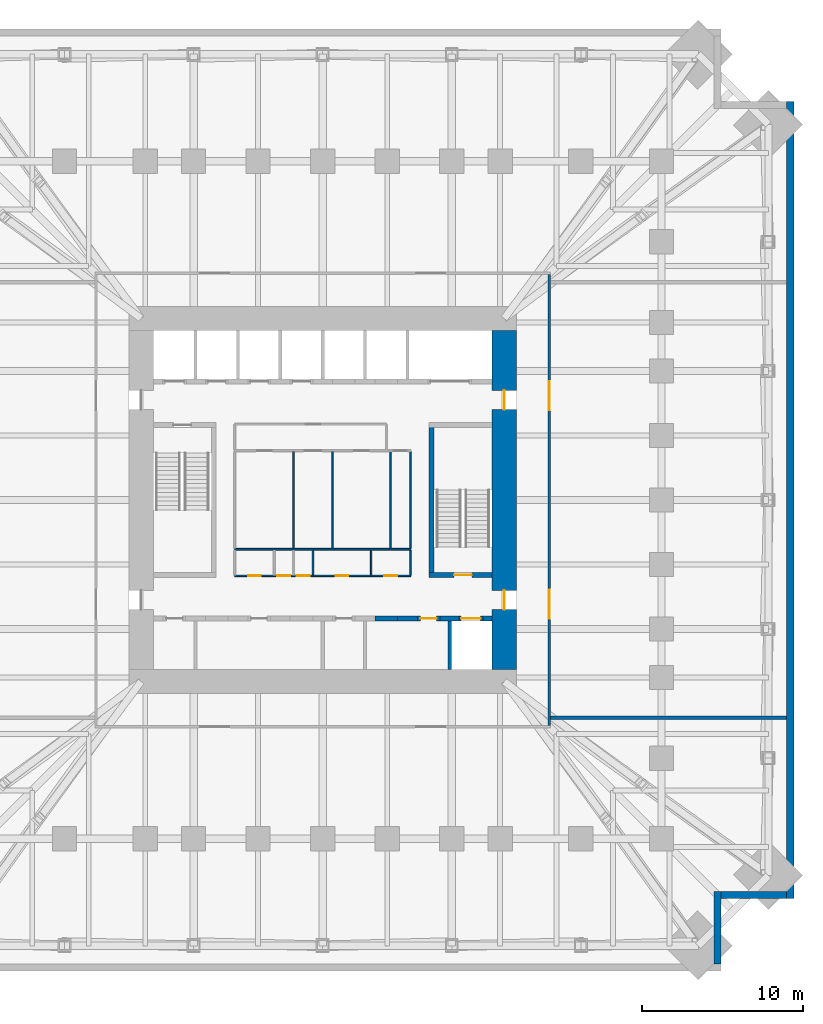
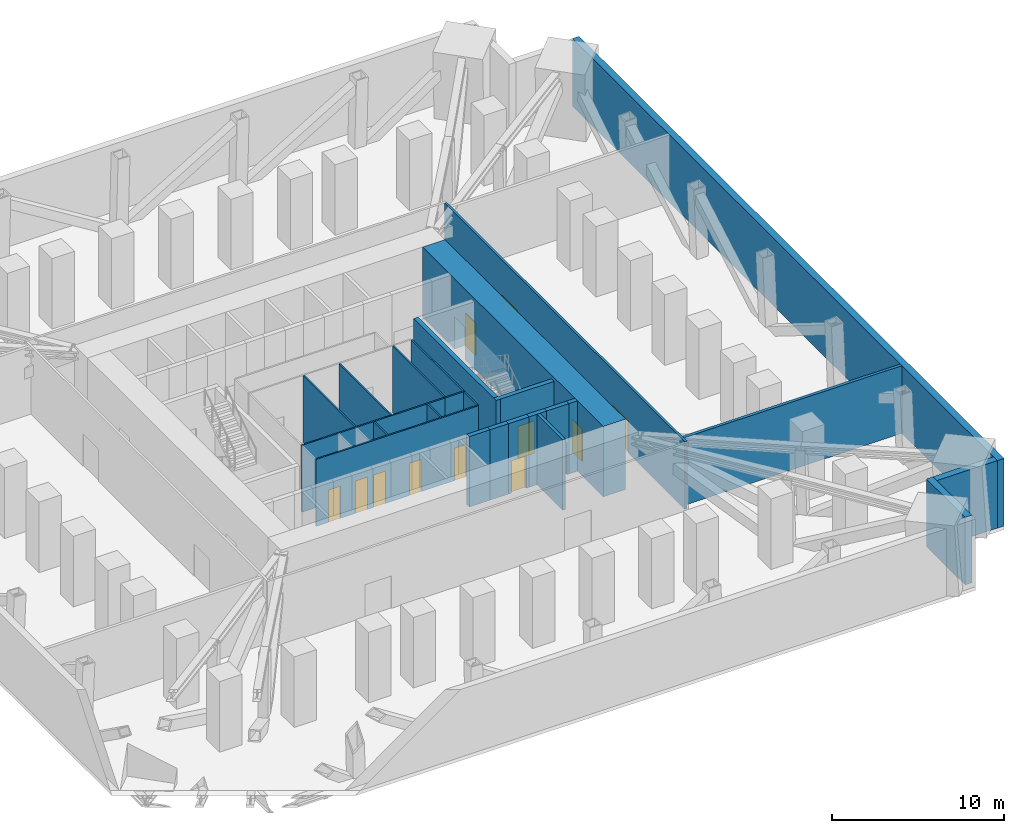
# One storey, part 6 of 9: 25 walls, 12 doors, 12 openings.
"""IFC4 building model written with IfcOpenShell, lengths in metres."""

from ifc_helpers import new_model, si_unit, direction, frame, frame_2d, origin, place, context, subcontext, project, spatial, rectangle, extrude, material, layer, layer_set, type_object, element, fill, save


model = new_model("IFC4")

# Units and contexts
model_context = context("Model", 3, precision=1e-05, world=origin(), true_north=direction((0.0, 1.0)))
body_context = subcontext(model_context, "Body", "Model", "MODEL_VIEW")
ifc_project = project(units=[si_unit("LENGTHUNIT", "METRE"), si_unit("AREAUNIT", "SQUARE_METRE"), si_unit("VOLUMEUNIT", "CUBIC_METRE"), si_unit("PLANEANGLEUNIT", "RADIAN"), si_unit("MASSUNIT", "GRAM", prefix="KILO")], contexts=[model_context])

# Site, building, storey
site_placement = place(None, origin())
site = spatial("IfcSite", under=ifc_project, at=site_placement, CompositionType="ELEMENT")
building_placement = place(site_placement, origin())
building = spatial("IfcBuilding", under=site, at=building_placement, Name="Peilmerk Tower", CompositionType="ELEMENT")
storey_placement = place(building_placement, frame((0.0, 0.0, 81.0)))
storey = spatial("IfcBuildingStorey", under=building, at=storey_placement, Name="L15", CompositionType="ELEMENT", Elevation=81.0)

# Walls
ifc_material_1 = material(Name="Precast concrete C45/55, board-marked finish", Category="concrete")
ifc_layer_1 = layer(ifc_material_1, 0.449951171875)
ifc_layer_set_1 = layer_set([ifc_layer_1], Name="Precast concrete C45/55, board-marked finish")
wall_type_1 = type_object("IfcWallType", Name="EW1 450 precast concrete facade wall, board-marked", PredefinedType="SOLIDWALL", material=ifc_layer_set_1)
wall_1_placement = place(storey_placement, frame((28.97509765625, -24.699951171875, 0.0), z_axis=(0.0, 0.0, 1.0), x_axis=(0.0, 1.0, 0.0)))
element("IfcWall", 1, at=wall_1_placement, inside=storey, type_object=wall_type_1, Name="Facade wall E L15", PredefinedType="SOLIDWALL", context=body_context, shape_type="SweptSolid", body=[
    extrude(rectangle(XDim=49.39990234375, YDim=0.449951171875, at=frame_2d((24.699951171875, 0.0))), origin(), (0.0, 0.0, 1.0), 4.800048828125),
])
wall_2_placement = place(storey_placement, frame((24.47509765625, -24.25, 0.0), z_axis=(0.0, 0.0, 1.0), x_axis=(0.0, -1.0, 0.0)))
element("IfcWall", 2, at=wall_2_placement, inside=storey, type_object=wall_type_1, Name="Facade wall SEA L15", PredefinedType="SOLIDWALL", context=body_context, shape_type="SweptSolid", body=[
    extrude(rectangle(XDim=4.5, YDim=0.449951171875, at=frame_2d((2.25, 0.0))), origin(), (0.0, 0.0, 1.0), 4.800048828125),
])
wall_3_placement = place(storey_placement, frame((24.699951171875, -24.47509765625, 0.0), z_axis=(0.0, 0.0, 1.0), x_axis=(1.0, 0.0, 0.0)))
element("IfcWall", 3, at=wall_3_placement, inside=storey, type_object=wall_type_1, Name="Facade wall SEB L15", PredefinedType="SOLIDWALL", context=body_context, shape_type="SweptSolid", body=[
    extrude(rectangle(XDim=4.050048828125, YDim=0.449951171875, at=frame_2d((2.02490234375, 0.0))), origin(), (0.0, 0.0, 1.0), 4.800048828125),
])

# Wall, openings, doors
ifc_material_2 = material(Name="Calcium silicate block", Category="masonry")
ifc_layer_2 = layer(ifc_material_2, 0.14990234375)
ifc_layer_set_2 = layer_set([ifc_layer_2], Name="Calcium silicate block")
wall_type_2 = type_object("IfcWallType", Name="IW1 150 corridor partition, EI 60", PredefinedType="PARTITIONING", material=ifc_layer_set_2)
wall_4_placement = place(storey_placement, frame((14.050048828125, -13.97509765625, 0.0), z_axis=(0.0, 0.0, 1.0), x_axis=(0.0, 1.0, 0.0)))
wall_4 = element("IfcWall", 4, at=wall_4_placement, inside=storey, type_object=wall_type_2, Name="Corridor wall E L15", PredefinedType="PARTITIONING", context=body_context, shape_type="SweptSolid", body=[
    extrude(rectangle(XDim=27.9501953125, YDim=0.14990234375, at=frame_2d((13.97509765625, 0.0))), origin(), (0.0, 0.0, 1.0), 4.800048828125),
])
opening_1_placement = place(wall_4_placement, frame((6.625, 0.0, 0.0)))
opening_1 = element("IfcOpeningElement", 5, at=opening_1_placement, cuts=wall_4, Name="Opening D2", PredefinedType="OPENING", context=body_context, shape_type="SweptSolid", body=[
    extrude(rectangle(XDim=1.800048828125, YDim=2.300048828125, at=frame_2d((0.89990234375, 1.14990234375))), frame((0.0, 0.0849609375, 0.0), z_axis=(0.0, -1.0, 0.0), x_axis=(1.0, 0.0, 0.0)), (0.0, 0.0, 1.0), 0.169921875),
])
opening_2_placement = place(wall_4_placement, frame((19.52490234375, 0.0, 0.0)))
opening_2 = element("IfcOpeningElement", 6, at=opening_2_placement, cuts=wall_4, Name="Opening D2", PredefinedType="OPENING", context=body_context, shape_type="SweptSolid", body=[
    extrude(rectangle(XDim=1.800048828125, YDim=2.300048828125, at=frame_2d((0.89990234375, 1.14990234375))), frame((0.0, 0.0849609375, 0.0), z_axis=(0.0, -1.0, 0.0), x_axis=(1.0, 0.0, 0.0)), (0.0, 0.0, 1.0), 0.169921875),
])
ifc_material_3 = material(Name="Steel door in steel frame", Category="steel")
door_type_1 = type_object("IfcDoorType", Name="D2 1800x2300 double door, EI2 60", OperationType="DOUBLE_DOOR_DOUBLE_SWING", PredefinedType="DOOR", material=ifc_material_3)
door_1_placement = place(opening_1_placement, frame((1.800048828125, 0.0, 0.0), z_axis=(0.0, 0.0, 1.0), x_axis=(-1.0, 0.0, 0.0)))
door_1 = element("IfcDoor", 7, at=door_1_placement, inside=storey, type_object=door_type_1, Name="Door Plant room L15", OperationType="DOUBLE_DOOR_DOUBLE_SWING", OverallHeight=2.300048828125, OverallWidth=1.800048828125, PredefinedType="DOOR", context=body_context, shape_type="SweptSolid", body=[
    extrude(rectangle(XDim=1.800048828125, YDim=2.300048828125, at=frame_2d((0.89990234375, 1.14990234375))), frame((0.0, 0.02490234375, 0.0), z_axis=(0.0, -1.0, 0.0), x_axis=(1.0, 0.0, 0.0)), (0.0, 0.0, 1.0), 0.050048828125),
])
fill(opening_1, door_1)
door_2_placement = place(opening_2_placement, frame((1.800048828125, 0.0, 0.0), z_axis=(0.0, 0.0, 1.0), x_axis=(-1.0, 0.0, 0.0)))
door_2 = element("IfcDoor", 8, at=door_2_placement, inside=storey, type_object=door_type_1, Name="Door Plant room L15", OperationType="DOUBLE_DOOR_DOUBLE_SWING", OverallHeight=2.300048828125, OverallWidth=1.800048828125, PredefinedType="DOOR", context=body_context, shape_type="SweptSolid", body=[
    extrude(rectangle(XDim=1.800048828125, YDim=2.300048828125, at=frame_2d((0.89990234375, 1.14990234375))), frame((0.0, 0.02490234375, 0.0), z_axis=(0.0, -1.0, 0.0), x_axis=(1.0, 0.0, 0.0)), (0.0, 0.0, 1.0), 0.050048828125),
])
fill(opening_2, door_2)

# Walls
ifc_layer_3 = layer(ifc_material_2, 0.199951171875)
ifc_layer_set_3 = layer_set([ifc_layer_3], Name="Calcium silicate block")
wall_type_3 = type_object("IfcWallType", Name="IW2 200 room separating wall, EI 120", PredefinedType="PARTITIONING", material=ifc_layer_set_3)
wall_5_placement = place(storey_placement, frame((28.75, -13.5, 0.0), z_axis=(0.0, 0.0, 1.0), x_axis=(-1.0, 0.0, 0.0)))
element("IfcWall", 9, at=wall_5_placement, inside=storey, type_object=wall_type_3, Name="Room separating wall SE L15", PredefinedType="PARTITIONING", context=body_context, shape_type="SweptSolid", body=[
    extrude(rectangle(XDim=14.625, YDim=0.199951171875, at=frame_2d((7.3125, 0.0))), origin(), (0.0, 0.0, 1.0), 4.800048828125),
])
ifc_material_4 = material(Name="Concrete C35/45", Category="concrete")
ifc_layer_4 = layer(ifc_material_4, 0.300048828125)
ifc_layer_set_4 = layer_set([ifc_layer_4], Name="Concrete C35/45")
wall_type_4 = type_object("IfcWallType", Name="IW3 300 concrete stair enclosure wall, EI 120", PredefinedType="SOLIDWALL", material=ifc_layer_set_4)
wall_6_placement = place(storey_placement, frame((6.75, -4.800048828125, 0.0), z_axis=(0.0, 0.0, 1.0), x_axis=(0.0, 1.0, 0.0)))
element("IfcWall", 10, at=wall_6_placement, inside=storey, type_object=wall_type_4, Name="Stair 2 enclosure L15", PredefinedType="SOLIDWALL", context=body_context, shape_type="SweptSolid", body=[
    extrude(rectangle(XDim=9.60009765625, YDim=0.300048828125, at=frame_2d((4.800048828125, 0.0))), origin(), (0.0, 0.0, 1.0), 4.75),
])

# Wall, opening, door
wall_7_placement = place(storey_placement, frame((10.5, -4.64990234375, 0.0), z_axis=(0.0, 0.0, 1.0), x_axis=(-1.0, 0.0, 0.0)))
wall_7 = element("IfcWall", 11, at=wall_7_placement, inside=storey, type_object=wall_type_4, Name="Stair 2 enclosure L15", PredefinedType="SOLIDWALL", context=body_context, shape_type="SweptSolid", body=[
    extrude(rectangle(XDim=3.89990234375, YDim=0.300048828125, at=frame_2d((1.949951171875, 0.0))), origin(), (0.0, 0.0, 1.0), 4.75),
])
opening_3_placement = place(wall_7_placement, frame((1.25, 0.0, 0.0)))
opening_3 = element("IfcOpeningElement", 12, at=opening_3_placement, cuts=wall_7, Name="Opening D4", PredefinedType="OPENING", context=body_context, shape_type="SweptSolid", body=[
    extrude(rectangle(XDim=1.10009765625, YDim=2.300048828125, at=frame_2d((0.550048828125, 1.14990234375))), frame((0.0, 0.159912109375, 0.0), z_axis=(0.0, -1.0, 0.0), x_axis=(1.0, 0.0, 0.0)), (0.0, 0.0, 1.0), 0.320068359375),
])
door_type_2 = type_object("IfcDoorType", Name="D4 1100x2300 stair door, EI2 60", OperationType="SINGLE_SWING_RIGHT", PredefinedType="DOOR", material=ifc_material_3)
door_3_placement = place(opening_3_placement, frame((1.10009765625, 0.0, 0.0), z_axis=(0.0, 0.0, 1.0), x_axis=(-1.0, 0.0, 0.0)))
door_3 = element("IfcDoor", 13, at=door_3_placement, inside=storey, type_object=door_type_2, Name="Stair 2 door L15", OperationType="SINGLE_SWING_RIGHT", OverallHeight=2.300048828125, OverallWidth=1.10009765625, PredefinedType="DOOR", context=body_context, shape_type="SweptSolid", body=[
    extrude(rectangle(XDim=1.10009765625, YDim=2.300048828125, at=frame_2d((0.550048828125, 1.14990234375))), frame((0.0, 0.02490234375, 0.0), z_axis=(0.0, -1.0, 0.0), x_axis=(1.0, 0.0, 0.0)), (0.0, 0.0, 1.0), 0.050048828125),
])
fill(opening_3, door_3)

# Walls
ifc_material_5 = material(Name="Plasterboard on steel studs", Category="steel")
ifc_layer_5 = layer(ifc_material_5, 0.10009765625)
ifc_layer_set_5 = layer_set([ifc_layer_5], Name="Plasterboard on steel studs")
wall_type_5 = type_object("IfcWallType", Name="IW4 100 WC partition", PredefinedType="PARTITIONING", material=ifc_layer_set_5)
wall_8_placement = place(storey_placement, frame((4.14990234375, -3.050048828125, 0.0), z_axis=(0.0, 0.0, 1.0), x_axis=(-1.0, 0.0, 0.0)))
element("IfcWall", 14, at=wall_8_placement, inside=storey, type_object=wall_type_5, Name="WC wall L15", PredefinedType="PARTITIONING", context=body_context, shape_type="SweptSolid", body=[
    extrude(rectangle(XDim=9.599853515625, YDim=0.10009765625, at=frame_2d((4.7998046875, 0.0))), origin(), (0.0, 0.0, 1.0), 4.75),
])
for number, where, z_axis, x_axis, name in (
    (15, (-1.800048828125, -3.0, 0.0), (0.0, 0.0, 1.0), (0.0, 1.0, 0.0), "WC wall L15"),
    (16, (0.60009765625, -3.0, 0.0), (0.0, 0.0, 1.0), (0.0, 1.0, 0.0), "WC wall L15"),
):
    element("IfcWall", number, at=place(storey_placement, frame(where, z_axis=z_axis, x_axis=x_axis)), inside=storey, type_object=wall_type_5, Name=name, PredefinedType="PARTITIONING", context=body_context, shape_type="SweptSolid", body=[
        extrude(rectangle(XDim=6.0, YDim=0.10009765625, at=frame_2d((3.0, 0.0))), origin(), (0.0, 0.0, 1.0), 4.75),
    ])
ifc_material_6 = material(Name="Calcium silicate board on steel studs", Category="steel")
ifc_layer_6 = layer(ifc_material_6, 0.10009765625)
ifc_layer_set_6 = layer_set([ifc_layer_6], Name="Calcium silicate board on steel studs")
wall_type_6 = type_object("IfcWallType", Name="IW5 100 riser enclosure wall, EI 60", PredefinedType="PARTITIONING", material=ifc_layer_set_6)
wall_9_placement = place(storey_placement, frame((5.449951171875, -3.050048828125, 0.0), z_axis=(0.0, 0.0, 1.0), x_axis=(-1.0, 0.0, 0.0)))
element("IfcWall", 17, at=wall_9_placement, inside=storey, type_object=wall_type_6, Name="Riser wall L15", PredefinedType="PARTITIONING", context=body_context, shape_type="SweptSolid", body=[
    extrude(rectangle(XDim=1.300048828125, YDim=0.10009765625, at=frame_2d((0.64990234375, 0.0))), origin(), (0.0, 0.0, 1.0), 4.75),
])
for number, where, z_axis, x_axis, name in (
    (18, (5.449951171875, 3.0, 0.0), (0.0, 0.0, 1.0), (0.0, -1.0, 0.0), "Riser wall L15"),
    (19, (4.199951171875, -3.0, 0.0), (0.0, 0.0, 1.0), (0.0, 1.0, 0.0), "Riser wall L15"),
):
    element("IfcWall", number, at=place(storey_placement, frame(where, z_axis=z_axis, x_axis=x_axis)), inside=storey, type_object=wall_type_6, Name=name, PredefinedType="PARTITIONING", context=body_context, shape_type="SweptSolid", body=[
        extrude(rectangle(XDim=6.0, YDim=0.10009765625, at=frame_2d((3.0, 0.0))), origin(), (0.0, 0.0, 1.0), 4.75),
    ])

# Wall, openings, doors
wall_10_placement = place(storey_placement, frame((5.449951171875, -4.699951171875, 0.0), z_axis=(0.0, 0.0, 1.0), x_axis=(-1.0, 0.0, 0.0)))
wall_10 = element("IfcWall", 20, at=wall_10_placement, inside=storey, type_object=wall_type_6, Name="Riser wall L15", PredefinedType="PARTITIONING", context=body_context, shape_type="SweptSolid", body=[
    extrude(rectangle(XDim=10.89990234375, YDim=0.10009765625, at=frame_2d((5.449951171875, 0.0))), origin(), (0.0, 0.0, 1.0), 4.75),
])
opening_4_placement = place(wall_10_placement, frame((9.27490234375, 0.0, 0.0)))
opening_4 = element("IfcOpeningElement", 21, at=opening_4_placement, cuts=wall_10, Name="Opening D7", PredefinedType="OPENING", context=body_context, shape_type="SweptSolid", body=[
    extrude(rectangle(XDim=0.800048828125, YDim=2.300048828125, at=frame_2d((0.39990234375, 1.14990234375))), frame((0.0, 0.06005859375, 0.0), z_axis=(0.0, -1.0, 0.0), x_axis=(1.0, 0.0, 0.0)), (0.0, 0.0, 1.0), 0.1201171875),
])
opening_5_placement = place(wall_10_placement, frame((7.449951171875, 0.0, 0.0)))
opening_5 = element("IfcOpeningElement", 22, at=opening_5_placement, cuts=wall_10, Name="Opening D7", PredefinedType="OPENING", context=body_context, shape_type="SweptSolid", body=[
    extrude(rectangle(XDim=0.800048828125, YDim=2.300048828125, at=frame_2d((0.39990234375, 1.14990234375))), frame((0.0, 0.06005859375, 0.0), z_axis=(0.0, -1.0, 0.0), x_axis=(1.0, 0.0, 0.0)), (0.0, 0.0, 1.0), 0.1201171875),
])
opening_6_placement = place(wall_10_placement, frame((6.25, 0.0, 0.0)))
opening_6 = element("IfcOpeningElement", 23, at=opening_6_placement, cuts=wall_10, Name="Opening D7", PredefinedType="OPENING", context=body_context, shape_type="SweptSolid", body=[
    extrude(rectangle(XDim=0.800048828125, YDim=2.300048828125, at=frame_2d((0.39990234375, 1.14990234375))), frame((0.0, 0.06005859375, 0.0), z_axis=(0.0, -1.0, 0.0), x_axis=(1.0, 0.0, 0.0)), (0.0, 0.0, 1.0), 0.1201171875),
])
opening_7_placement = place(wall_10_placement, frame((3.85009765625, 0.0, 0.0)))
opening_7 = element("IfcOpeningElement", 24, at=opening_7_placement, cuts=wall_10, Name="Opening D7", PredefinedType="OPENING", context=body_context, shape_type="SweptSolid", body=[
    extrude(rectangle(XDim=0.800048828125, YDim=2.300048828125, at=frame_2d((0.39990234375, 1.14990234375))), frame((0.0, 0.06005859375, 0.0), z_axis=(0.0, -1.0, 0.0), x_axis=(1.0, 0.0, 0.0)), (0.0, 0.0, 1.0), 0.1201171875),
])
opening_8_placement = place(wall_10_placement, frame((0.824951171875, 0.0, 0.0)))
opening_8 = element("IfcOpeningElement", 25, at=opening_8_placement, cuts=wall_10, Name="Opening D7", PredefinedType="OPENING", context=body_context, shape_type="SweptSolid", body=[
    extrude(rectangle(XDim=0.800048828125, YDim=2.300048828125, at=frame_2d((0.39990234375, 1.14990234375))), frame((0.0, 0.06005859375, 0.0), z_axis=(0.0, -1.0, 0.0), x_axis=(1.0, 0.0, 0.0)), (0.0, 0.0, 1.0), 0.1201171875),
])
door_type_3 = type_object("IfcDoorType", Name="D7 800x2300 riser access door, EI2 60", OperationType="SINGLE_SWING_RIGHT", PredefinedType="DOOR", material=ifc_material_3)
door_4_placement = place(opening_4_placement, frame((0.800048828125, 0.0, 0.0), z_axis=(0.0, 0.0, 1.0), x_axis=(-1.0, 0.0, 0.0)))
door_4 = element("IfcDoor", 26, at=door_4_placement, inside=storey, type_object=door_type_3, Name="Cleaner's cupboard door L15", OperationType="SINGLE_SWING_RIGHT", OverallHeight=2.300048828125, OverallWidth=0.800048828125, PredefinedType="DOOR", context=body_context, shape_type="SweptSolid", body=[
    extrude(rectangle(XDim=0.800048828125, YDim=2.300048828125, at=frame_2d((0.39990234375, 1.14990234375))), frame((0.0, 0.02490234375, 0.0), z_axis=(0.0, -1.0, 0.0), x_axis=(1.0, 0.0, 0.0)), (0.0, 0.0, 1.0), 0.050048828125),
])
fill(opening_4, door_4)
door_5_placement = place(opening_5_placement, frame((0.800048828125, 0.0, 0.0), z_axis=(0.0, 0.0, 1.0), x_axis=(-1.0, 0.0, 0.0)))
door_5 = element("IfcDoor", 27, at=door_5_placement, inside=storey, type_object=door_type_3, Name="Electrical riser door L15", OperationType="SINGLE_SWING_RIGHT", OverallHeight=2.300048828125, OverallWidth=0.800048828125, PredefinedType="DOOR", context=body_context, shape_type="SweptSolid", body=[
    extrude(rectangle(XDim=0.800048828125, YDim=2.300048828125, at=frame_2d((0.39990234375, 1.14990234375))), frame((0.0, 0.02490234375, 0.0), z_axis=(0.0, -1.0, 0.0), x_axis=(1.0, 0.0, 0.0)), (0.0, 0.0, 1.0), 0.050048828125),
])
fill(opening_5, door_5)
door_6_placement = place(opening_6_placement, frame((0.800048828125, 0.0, 0.0), z_axis=(0.0, 0.0, 1.0), x_axis=(-1.0, 0.0, 0.0)))
door_6 = element("IfcDoor", 28, at=door_6_placement, inside=storey, type_object=door_type_3, Name="Data riser door L15", OperationType="SINGLE_SWING_RIGHT", OverallHeight=2.300048828125, OverallWidth=0.800048828125, PredefinedType="DOOR", context=body_context, shape_type="SweptSolid", body=[
    extrude(rectangle(XDim=0.800048828125, YDim=2.300048828125, at=frame_2d((0.39990234375, 1.14990234375))), frame((0.0, 0.02490234375, 0.0), z_axis=(0.0, -1.0, 0.0), x_axis=(1.0, 0.0, 0.0)), (0.0, 0.0, 1.0), 0.050048828125),
])
fill(opening_6, door_6)
door_7_placement = place(opening_7_placement, frame((0.800048828125, 0.0, 0.0), z_axis=(0.0, 0.0, 1.0), x_axis=(-1.0, 0.0, 0.0)))
door_7 = element("IfcDoor", 29, at=door_7_placement, inside=storey, type_object=door_type_3, Name="Comms room door L15", OperationType="SINGLE_SWING_RIGHT", OverallHeight=2.300048828125, OverallWidth=0.800048828125, PredefinedType="DOOR", context=body_context, shape_type="SweptSolid", body=[
    extrude(rectangle(XDim=0.800048828125, YDim=2.300048828125, at=frame_2d((0.39990234375, 1.14990234375))), frame((0.0, 0.02490234375, 0.0), z_axis=(0.0, -1.0, 0.0), x_axis=(1.0, 0.0, 0.0)), (0.0, 0.0, 1.0), 0.050048828125),
])
fill(opening_7, door_7)
door_8_placement = place(opening_8_placement, frame((0.800048828125, 0.0, 0.0), z_axis=(0.0, 0.0, 1.0), x_axis=(-1.0, 0.0, 0.0)))
door_8 = element("IfcDoor", 30, at=door_8_placement, inside=storey, type_object=door_type_3, Name="Water meter room door L15", OperationType="SINGLE_SWING_RIGHT", OverallHeight=2.300048828125, OverallWidth=0.800048828125, PredefinedType="DOOR", context=body_context, shape_type="SweptSolid", body=[
    extrude(rectangle(XDim=0.800048828125, YDim=2.300048828125, at=frame_2d((0.39990234375, 1.14990234375))), frame((0.0, 0.02490234375, 0.0), z_axis=(0.0, -1.0, 0.0), x_axis=(1.0, 0.0, 0.0)), (0.0, 0.0, 1.0), 0.050048828125),
])
fill(opening_8, door_8)

# Walls
for number, where, z_axis, x_axis, name in (
    (31, (5.449951171875, -3.10009765625, 0.0), (0.0, 0.0, 1.0), (0.0, -1.0, 0.0), "Riser wall L15"),
    (32, (-0.60009765625, -3.10009765625, 0.0), (0.0, 0.0, 1.0), (0.0, -1.0, 0.0), "Riser wall L15"),
    (33, (3.0, -3.10009765625, 0.0), (0.0, 0.0, 1.0), (0.0, -1.0, 0.0), "Riser wall L15"),
):
    element("IfcWall", number, at=place(storey_placement, frame(where, z_axis=z_axis, x_axis=x_axis)), inside=storey, type_object=wall_type_6, Name=name, PredefinedType="PARTITIONING", context=body_context, shape_type="SweptSolid", body=[
        extrude(rectangle(XDim=1.5498046875, YDim=0.10009765625, at=frame_2d((0.77490234375, 0.0))), origin(), (0.0, 0.0, 1.0), 4.75),
    ])
ifc_layer_7 = layer(ifc_material_2, 0.199951171875)
ifc_layer_set_7 = layer_set([ifc_layer_7], Name="Calcium silicate block")
wall_type_7 = type_object("IfcWallType", Name="SH1 200 shaft dividing wall, EI 120", PredefinedType="PARTITIONING", material=ifc_layer_set_7)
wall_11_placement = place(storey_placement, frame((7.875, -10.5, 0.0), z_axis=(0.0, 0.0, 1.0), x_axis=(0.0, 1.0, 0.0)))
element("IfcWall", 34, at=wall_11_placement, inside=storey, type_object=wall_type_7, Name="Shaft wall S B1 L15", PredefinedType="PARTITIONING", context=body_context, shape_type="SweptSolid", body=[
    extrude(rectangle(XDim=3.0, YDim=0.199951171875, at=frame_2d((1.5, 0.0))), origin(), (0.0, 0.0, 1.0), 5.0),
])
ifc_layer_8 = layer(ifc_material_2, 0.300048828125)
ifc_layer_set_8 = layer_set([ifc_layer_8], Name="Calcium silicate block")
wall_type_8 = type_object("IfcWallType", Name="SH2 300 lift landing door panel, EI 120", PredefinedType="PARTITIONING", material=ifc_layer_set_8)
wall_12_placement = place(storey_placement, frame((3.237548828125, -7.35009765625, 0.0), z_axis=(0.0, 0.0, 1.0), x_axis=(1.0, 0.0, 0.0)))
element("IfcWall", 35, at=wall_12_placement, inside=storey, type_object=wall_type_8, Name="Lift door panel S B2 L15", PredefinedType="PARTITIONING", context=body_context, shape_type="SweptSolid", body=[
    extrude(rectangle(XDim=1.39990234375, YDim=0.300048828125, at=frame_2d((0.699951171875, 0.0))), origin(), (0.0, 0.0, 1.0), 5.0),
])

# Wall, opening, door
wall_13_placement = place(storey_placement, frame((5.862548828125, -7.35009765625, 0.0), z_axis=(0.0, 0.0, 1.0), x_axis=(1.0, 0.0, 0.0)))
wall_13 = element("IfcWall", 36, at=wall_13_placement, inside=storey, type_object=wall_type_8, Name="Lift door panel S B1 L15", PredefinedType="PARTITIONING", context=body_context, shape_type="SweptSolid", body=[
    extrude(rectangle(XDim=1.39990234375, YDim=0.300048828125, at=frame_2d((0.699951171875, 0.0))), origin(), (0.0, 0.0, 1.0), 5.0),
])
opening_9_placement = place(wall_13_placement, frame((0.199951171875, 0.0, 0.0)))
opening_9 = element("IfcOpeningElement", 37, at=opening_9_placement, cuts=wall_13, Name="Opening D10", PredefinedType="OPENING", context=body_context, shape_type="SweptSolid", body=[
    extrude(rectangle(XDim=1.0, YDim=2.300048828125, at=frame_2d((0.5, 1.14990234375))), frame((0.0, 0.159912109375, 0.0), z_axis=(0.0, -1.0, 0.0), x_axis=(1.0, 0.0, 0.0)), (0.0, 0.0, 1.0), 0.320068359375),
])
door_type_4 = type_object("IfcDoorType", Name="D10 1000x2300 core room door, EI2 60", OperationType="SINGLE_SWING_RIGHT", PredefinedType="DOOR", material=ifc_material_3)
door_9_placement = place(opening_9_placement, frame((1.0, 0.0, 0.0), z_axis=(0.0, 0.0, 1.0), x_axis=(-1.0, 0.0, 0.0)))
door_9 = element("IfcDoor", 38, at=door_9_placement, inside=storey, type_object=door_type_4, Name="Door Water plant room L15", OperationType="SINGLE_SWING_RIGHT", OverallHeight=2.300048828125, OverallWidth=1.0, PredefinedType="DOOR", context=body_context, shape_type="SweptSolid", body=[
    extrude(rectangle(XDim=1.0, YDim=2.300048828125, at=frame_2d((0.5, 1.14990234375))), frame((0.0, 0.02490234375, 0.0), z_axis=(0.0, -1.0, 0.0), x_axis=(1.0, 0.0, 0.0)), (0.0, 0.0, 1.0), 0.050048828125),
])
fill(opening_9, door_9)

wall_14_placement = place(storey_placement, frame((8.4375, -7.35009765625, 0.0), z_axis=(0.0, 0.0, 1.0), x_axis=(1.0, 0.0, 0.0)))
wall_14 = element("IfcWall", 39, at=wall_14_placement, inside=storey, type_object=wall_type_8, Name="Lift door panel S FL2 L15", PredefinedType="PARTITIONING", context=body_context, shape_type="SweptSolid", body=[
    extrude(rectangle(XDim=1.5, YDim=0.300048828125, at=frame_2d((0.75, 0.0))), origin(), (0.0, 0.0, 1.0), 5.0),
])
opening_10_placement = place(wall_14_placement, frame((0.14990234375, 0.0, 0.0)))
opening_10 = element("IfcOpeningElement", 40, at=opening_10_placement, cuts=wall_14, Name="Opening LD2", PredefinedType="OPENING", context=body_context, shape_type="SweptSolid", body=[
    extrude(rectangle(XDim=1.199951171875, YDim=2.300048828125, at=frame_2d((0.60009765625, 1.14990234375))), frame((0.0, 0.159912109375, 0.0), z_axis=(0.0, -1.0, 0.0), x_axis=(1.0, 0.0, 0.0)), (0.0, 0.0, 1.0), 0.320068359375),
])
ifc_material_7 = material(Name="Stainless steel landing door", Category="steel")
door_type_5 = type_object("IfcDoorType", Name="LD2 1200x2300 lift landing door, sliding, EI2 60", OperationType="SLIDING_TO_LEFT", PredefinedType="DOOR", material=ifc_material_7)
door_10_placement = place(opening_10_placement, origin())
door_10 = element("IfcDoor", 41, at=door_10_placement, inside=storey, type_object=door_type_5, Name="Lift landing door FL2 L15", OperationType="SLIDING_TO_LEFT", OverallHeight=2.300048828125, OverallWidth=1.199951171875, PredefinedType="DOOR", context=body_context, shape_type="SweptSolid", body=[
    extrude(rectangle(XDim=1.199951171875, YDim=2.300048828125, at=frame_2d((0.60009765625, 1.14990234375))), frame((0.0, 0.02490234375, 0.0), z_axis=(0.0, -1.0, 0.0), x_axis=(1.0, 0.0, 0.0)), (0.0, 0.0, 1.0), 0.050048828125),
])
fill(opening_10, door_10)

# Wall, openings, doors
ifc_material_8 = material(Name="Concrete C55/67", Category="concrete")
ifc_layer_9 = layer(ifc_material_8, 1.5)
ifc_layer_set_9 = layer_set([ifc_layer_9], Name="Concrete C55/67")
wall_type_9 = type_object("IfcWallType", Name="SW1 1500 core wall", PredefinedType="SHEAR", material=ifc_layer_set_9)
wall_15_placement = place(storey_placement, frame((11.25, 10.5, 0.0), z_axis=(0.0, 0.0, 1.0), x_axis=(0.0, -1.0, 0.0)))
wall_15 = element("IfcWall", 42, at=wall_15_placement, inside=storey, type_object=wall_type_9, Name="Core wall E L15", PredefinedType="SHEAR", context=body_context, shape_type="SweptSolid", body=[
    extrude(rectangle(XDim=21.0, YDim=1.5, at=frame_2d((10.5, 0.0))), origin(), (0.0, 0.0, 1.0), 5.0),
])
opening_11_placement = place(wall_15_placement, frame((3.699951171875, 0.0, 0.0)))
opening_11 = element("IfcOpeningElement", 43, at=opening_11_placement, cuts=wall_15, Name="Opening D3", PredefinedType="OPENING", context=body_context, shape_type="SweptSolid", body=[
    extrude(rectangle(XDim=1.199951171875, YDim=2.300048828125, at=frame_2d((0.60009765625, 1.14990234375))), frame((0.0, 0.760009765625, 0.0), z_axis=(0.0, -1.0, 0.0), x_axis=(1.0, 0.0, 0.0)), (0.0, 0.0, 1.0), 1.52001953125),
])
opening_12_placement = place(wall_15_placement, frame((16.10009765625, 0.0, 0.0)))
opening_12 = element("IfcOpeningElement", 44, at=opening_12_placement, cuts=wall_15, Name="Opening D3", PredefinedType="OPENING", context=body_context, shape_type="SweptSolid", body=[
    extrude(rectangle(XDim=1.199951171875, YDim=2.300048828125, at=frame_2d((0.60009765625, 1.14990234375))), frame((0.0, 0.760009765625, 0.0), z_axis=(0.0, -1.0, 0.0), x_axis=(1.0, 0.0, 0.0)), (0.0, 0.0, 1.0), 1.52001953125),
])
door_type_6 = type_object("IfcDoorType", Name="D3 1200x2300 core door, EI2 60", OperationType="SINGLE_SWING_LEFT", PredefinedType="DOOR", material=ifc_material_3)
door_11_placement = place(opening_11_placement, frame((1.199951171875, 0.0, 0.0), z_axis=(0.0, 0.0, 1.0), x_axis=(-1.0, 0.0, 0.0)))
door_11 = element("IfcDoor", 45, at=door_11_placement, inside=storey, type_object=door_type_6, Name="Core door L15", OperationType="SINGLE_SWING_LEFT", OverallHeight=2.300048828125, OverallWidth=1.199951171875, PredefinedType="DOOR", context=body_context, shape_type="SweptSolid", body=[
    extrude(rectangle(XDim=1.199951171875, YDim=2.300048828125, at=frame_2d((0.60009765625, 1.14990234375))), frame((0.0, 0.02490234375, 0.0), z_axis=(0.0, -1.0, 0.0), x_axis=(1.0, 0.0, 0.0)), (0.0, 0.0, 1.0), 0.050048828125),
])
fill(opening_11, door_11)
door_12_placement = place(opening_12_placement, frame((1.199951171875, 0.0, 0.0), z_axis=(0.0, 0.0, 1.0), x_axis=(-1.0, 0.0, 0.0)))
door_12 = element("IfcDoor", 46, at=door_12_placement, inside=storey, type_object=door_type_6, Name="Core door L15", OperationType="SINGLE_SWING_LEFT", OverallHeight=2.300048828125, OverallWidth=1.199951171875, PredefinedType="DOOR", context=body_context, shape_type="SweptSolid", body=[
    extrude(rectangle(XDim=1.199951171875, YDim=2.300048828125, at=frame_2d((0.60009765625, 1.14990234375))), frame((0.0, 0.02490234375, 0.0), z_axis=(0.0, -1.0, 0.0), x_axis=(1.0, 0.0, 0.0)), (0.0, 0.0, 1.0), 0.050048828125),
])
fill(opening_12, door_12)

# Walls
ifc_layer_10 = layer(ifc_material_8, 0.300048828125)
ifc_layer_set_10 = layer_set([ifc_layer_10], Name="Concrete C55/67")
wall_type_10 = type_object("IfcWallType", Name="SW2 300 lift bank pier", PredefinedType="SHEAR", material=ifc_layer_set_10)
wall_16_placement = place(storey_placement, frame((4.637451171875, -7.35009765625, 0.0), z_axis=(0.0, 0.0, 1.0), x_axis=(1.0, 0.0, 0.0)))
element("IfcWall", 47, at=wall_16_placement, inside=storey, type_object=wall_type_10, Name="Lift bank pier S L15", PredefinedType="SHEAR", context=body_context, shape_type="SweptSolid", body=[
    extrude(rectangle(XDim=1.22509765625, YDim=0.300048828125, at=frame_2d((0.612548828125, 0.0))), origin(), (0.0, 0.0, 1.0), 5.0),
])
wall_17_placement = place(storey_placement, frame((7.262451171875, -7.35009765625, 0.0), z_axis=(0.0, 0.0, 1.0), x_axis=(1.0, 0.0, 0.0)))
element("IfcWall", 48, at=wall_17_placement, inside=storey, type_object=wall_type_10, Name="Lift bank pier S L15", PredefinedType="SHEAR", context=body_context, shape_type="SweptSolid", body=[
    extrude(rectangle(XDim=1.175048828125, YDim=0.300048828125, at=frame_2d((0.58740234375, 0.0))), origin(), (0.0, 0.0, 1.0), 5.0),
])
wall_18_placement = place(storey_placement, frame((9.9375, -7.35009765625, 0.0), z_axis=(0.0, 0.0, 1.0), x_axis=(1.0, 0.0, 0.0)))
element("IfcWall", 49, at=wall_18_placement, inside=storey, type_object=wall_type_10, Name="Lift bank pier S L15", PredefinedType="SHEAR", context=body_context, shape_type="SweptSolid", body=[
    extrude(rectangle(XDim=0.5625, YDim=0.300048828125, at=frame_2d((0.28125, 0.0))), origin(), (0.0, 0.0, 1.0), 5.0),
])

save(model, "model.ifc")
